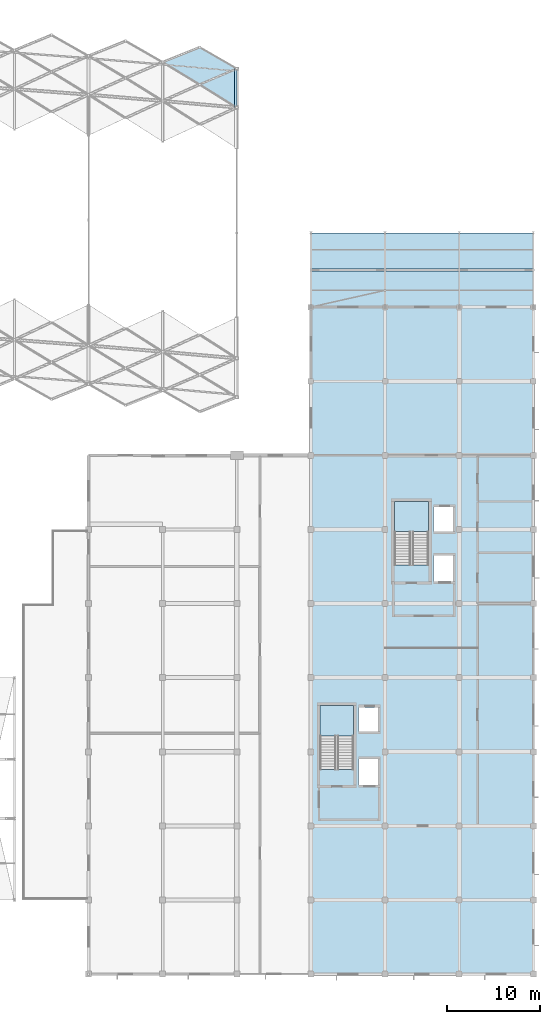
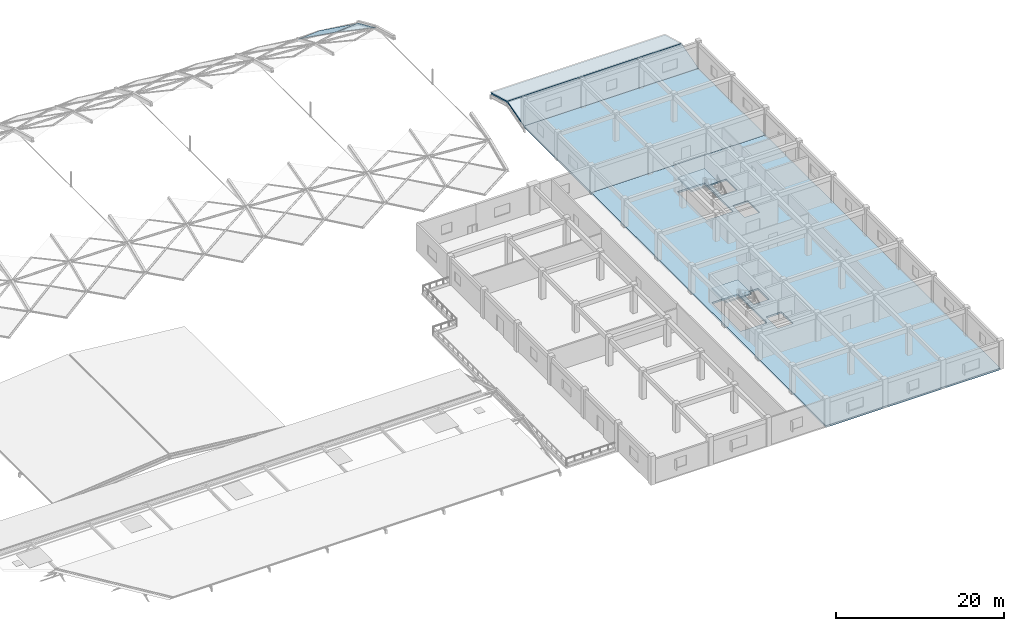
# One storey, part 34 of 54: 6 slabs, 3 plates, 2 elements without a shape of their own.
"""IFC4 building model written with IfcOpenShell, lengths in metres."""

from ifc_helpers import new_model, si_unit, direction, frame, origin, place, context, subcontext, project, spatial, polyline, outline, extrude, material, layer, layer_set, type_object, element, aggregate, save


model = new_model("IFC4")

# Units and contexts
model_context = context("Model", 3, precision=1e-05, world=origin(), true_north=direction((0.0, 1.0)))
body_context = subcontext(model_context, "Body", "Model", "MODEL_VIEW")
ifc_project = project(units=[si_unit("LENGTHUNIT", "METRE"), si_unit("AREAUNIT", "SQUARE_METRE"), si_unit("VOLUMEUNIT", "CUBIC_METRE"), si_unit("PLANEANGLEUNIT", "RADIAN"), si_unit("MASSUNIT", "GRAM", prefix="KILO")], contexts=[model_context])

# Site, building, storey
site_placement = place(None, origin())
site = spatial("IfcSite", under=ifc_project, at=site_placement, CompositionType="ELEMENT")
building_placement = place(site_placement, origin())
building = spatial("IfcBuilding", under=site, at=building_placement, Name="Kenh Van Central Station", CompositionType="ELEMENT")
storey_placement = place(building_placement, frame((0.0, 0.0, 15.0)))
storey = spatial("IfcBuildingStorey", under=building, at=storey_placement, Name="L03", CompositionType="ELEMENT", Elevation=15.0)

# Plates
ifc_material_1 = material(Name="White fluoropolymer structural steel S355", Category="steel")
ifc_layer_1 = layer(ifc_material_1, 0.010009765625, Name="White fluoropolymer structural steel S355")
ifc_layer_set_1 = layer_set([ifc_layer_1], Name="White fluoropolymer structural steel S355")
plate_type_1 = type_object("IfcPlateType", Name="PLT-FASCIA-SH2", PredefinedType="SHEET", material=ifc_layer_set_1)
plate_1_placement = place(storey_placement, frame((144.0, 101.5341796875, 4.069091796875), z_axis=(0.0, 0.401679525559, 0.91578030048), x_axis=(-1.0, 0.0, 0.0)))
element("IfcPlate", 1, at=plate_1_placement, inside=storey, type_object=plate_type_1, Name="Vault portal arch trim plate 22", PredefinedType="SHEET", context=body_context, shape_type="SweptSolid", body=[
    extrude(outline(polyline([(0.0, 0.0), (0.260009765625, 0.0), (0.260009765625, -4.5822006220298945), (0.0, -4.5822006220298945), (0.0, 0.0)])), origin(), (0.0, 0.0, -1.0), 0.010009765625),
])
ifc_material_2 = material(Name="Double-glazed low-E laminated solar glass", Category="glass")
ifc_layer_2 = layer(ifc_material_2, 0.02490234375, Name="Double-glazed low-E laminated solar glass")
ifc_layer_set_2 = layer_set([ifc_layer_2], Name="Double-glazed low-E laminated solar glass")
plate_type_2 = type_object("IfcPlateType", Name="PLT-VAULT-GLZ2", PredefinedType="SHEET", material=ifc_layer_set_2)
plate_2_placement = place(storey_placement, frame((143.994140625, 101.5439453125, 4.065185546875), z_axis=(0.059954180485, 0.40090789008, 0.914154450798), x_axis=(-0.000107042772, 0.915804436054, -0.401624480635)))
element("IfcPlate", 2, at=plate_2_placement, inside=storey, type_object=plate_type_2, Name="Vault border triangle skylight pane 273", PredefinedType="SHEET", context=body_context, shape_type="SweptSolid", body=[
    extrude(outline(polyline([(0.0, 0.0), (4.561552739768953, 1.3877787807814457e-17), (2.6083212350429923, 3.9890743809486193), (0.0, 0.0)])), origin(), (0.0, 0.0, -1.0), 0.02490234375),
])
ifc_layer_3 = layer(ifc_material_2, 0.034912109375, Name="Double-glazed low-E laminated solar glass")
ifc_layer_set_3 = layer_set([ifc_layer_3], Name="Double-glazed low-E laminated solar glass")
plate_type_3 = type_object("IfcPlateType", Name="PLT-VAULT-GLZ6", PredefinedType="SHEET", material=ifc_layer_set_3)
plate_3_placement = place(storey_placement, frame((136.009521484375, 106.41357421875, 2.177978515625), z_axis=(0.04314376325, 0.484699706113, 0.87361593998), x_axis=(0.838742046707, -0.492670292583, 0.231921887482)))
element("IfcPlate", 3, at=plate_3_placement, inside=storey, type_object=plate_type_3, Name="Vault planar diamond skylight pane 252", PredefinedType="SHEET", context=body_context, shape_type="SweptSolid", body=[
    extrude(outline(polyline([(0.0, 0.0), (4.760610461406004, -2.220446049250313e-16), (7.039645477718282, 3.8164376090570165), (2.285393173456448, 3.8246194653920256), (0.0, 0.0)])), origin(), (0.0, 0.0, -1.0), 0.034912109375),
])

# Slabs
ifc_material_3 = material(Name="Concrete C35/45", Category="concrete")
ifc_layer_4 = layer(ifc_material_3, 0.25, Name="Concrete C35/45")
ifc_layer_set_4 = layer_set([ifc_layer_4], Name="Concrete C35/45")
slab_type_1 = type_object("IfcSlabType", Name="SLB-FLR-250", PredefinedType="FLOOR", material=ifc_layer_set_4)
slab_1_placement = place(storey_placement, frame((0.0, 0.0, -0.25)))
element("IfcSlab", 4, at=slab_1_placement, inside=storey, type_object=slab_type_1, Name="L03 slab SLB-L03-EB", PredefinedType="FLOOR", context=body_context, shape_type="SweptSolid", body=[
    extrude(outline(polyline([(152.0, 8.0), (176.0, 8.0), (176.0, 64.0), (152.0, 64.0), (152.0, 8.0)]), holes=[polyline([(165.25, 53.199951171875), (167.35009765625, 53.199951171875), (167.35009765625, 50.39990234375), (165.25, 50.39990234375), (165.25, 53.199951171875)]), polyline([(167.35009765625, 58.39990234375), (167.35009765625, 55.800048828125), (165.25, 55.800048828125), (165.25, 58.39990234375), (167.35009765625, 58.39990234375)]), polyline([(164.699951171875, 59.0), (164.699951171875, 52.1650390625), (161.0, 52.1650390625), (161.0, 59.0), (164.699951171875, 59.0)]), polyline([(157.14990234375, 31.199951171875), (159.25, 31.199951171875), (159.25, 28.39990234375), (157.14990234375, 28.39990234375), (157.14990234375, 31.199951171875)]), polyline([(159.25, 36.800048828125), (159.25, 34.199951171875), (157.14990234375, 34.199951171875), (157.14990234375, 36.800048828125), (159.25, 36.800048828125)]), polyline([(156.60009765625, 37.0), (156.60009765625, 30.114990234375), (153.0, 30.114990234375), (153.0, 37.0), (156.60009765625, 37.0)])]), origin(), (0.0, 0.0, 1.0), 0.25),
])
slab_2_placement = place(storey_placement, frame((0.0, 0.0, -0.25)))
element("IfcSlab", 5, at=slab_2_placement, inside=storey, type_object=slab_type_1, Name="L03 slab SLB-L03-EC", PredefinedType="FLOOR", context=body_context, shape_type="SweptSolid", body=[
    extrude(outline(polyline([(152.0, 64.0), (176.0, 64.0), (176.0, 80.0), (152.0, 80.0), (152.0, 64.0)])), origin(), (0.0, 0.0, 1.0), 0.25),
])

# Stair, slab
stair_type_1 = type_object("IfcStairType", Name="STR-DLG-1700", PredefinedType="HALF_TURN_STAIR", material=ifc_material_3)
stair_1_placement = place(storey_placement, origin())
stair_1 = element("IfcStair", 6, at=stair_1_placement, inside=storey, type_object=stair_type_1, Name="L03 Operations South Firefighting Core", PredefinedType="HALF_TURN_STAIR")
ifc_layer_5 = layer(ifc_material_3, 0.199951171875, Name="Concrete C35/45")
ifc_layer_set_5 = layer_set([ifc_layer_5], Name="Concrete C35/45")
slab_type_2 = type_object("IfcSlabType", Name="SLB-LAND-200", PredefinedType="LANDING", material=ifc_layer_set_5)
slab_3_placement = place(storey_placement, frame((0.0, 0.0, 1.89990234375)))
slab_3 = element("IfcSlab", 7, at=slab_3_placement, type_object=slab_type_2, Name="ST-09 landing 1", PredefinedType="LANDING", context=body_context, shape_type="SweptSolid", body=[
    extrude(outline(polyline([(156.60009765625, 33.699951171875), (156.60009765625, 37.0), (153.0, 37.0), (153.0, 33.699951171875), (156.60009765625, 33.699951171875)])), origin(), (0.0, 0.0, 1.0), 0.2001953125),
])
aggregate(stair_1, [slab_3])

stair_type_2 = type_object("IfcStairType", Name="STR-DLG-1750", PredefinedType="HALF_TURN_STAIR", material=ifc_material_3)
stair_2_placement = place(storey_placement, origin())
stair_2 = element("IfcStair", 8, at=stair_2_placement, inside=storey, type_object=stair_type_2, Name="L03 Operations North Firefighting and Goods Core", PredefinedType="HALF_TURN_STAIR")
slab_4_placement = place(storey_placement, frame((0.0, 0.0, 1.89990234375)))
slab_4 = element("IfcSlab", 9, at=slab_4_placement, type_object=slab_type_2, Name="ST-10 landing 1", PredefinedType="LANDING", context=body_context, shape_type="SweptSolid", body=[
    extrude(outline(polyline([(164.699951171875, 55.75), (164.699951171875, 59.0), (161.0, 59.0), (161.0, 55.75), (164.699951171875, 55.75)])), origin(), (0.0, 0.0, 1.0), 0.2001953125),
])
aggregate(stair_2, [slab_4])

# Slabs
ifc_layer_6 = layer(ifc_material_3, 0.18994140625, Name="Concrete C35/45")
ifc_layer_set_6 = layer_set([ifc_layer_6], Name="Concrete C35/45")
slab_type_3 = type_object("IfcSlabType", Name="SLB-ROOF-190", PredefinedType="ROOF", material=ifc_layer_set_6)
for number, where, z_axis, x_axis, name in (
    (10, (152.0, 80.0, 0.0), (0.0, -0.271488785727, 0.96244160302), (1.0, 0.0, 0.0), "L03 sloped roof RF-OPS2-A"),
    (11, (152.0, 84.10009765625, 1.10009765625), (0.0, 0.271488785727, 0.96244160302), (1.0, 0.0, 0.0), "L03 sloped roof RF-OPS2-B"),
):
    element("IfcSlab", number, at=place(storey_placement, frame(where, z_axis=z_axis, x_axis=x_axis)), inside=storey, type_object=slab_type_3, Name=name, PredefinedType="ROOF", context=body_context, shape_type="SweptSolid", body=[
        extrude(outline(polyline([(0.0, 0.0), (24.0, 0.0), (24.0, 4.052092440218201), (0.0, 4.052092440218201), (0.0, 0.0)])), origin(), (0.0, 0.0, -1.0), 0.18994140625),
    ])

save(model, "model.ifc")
